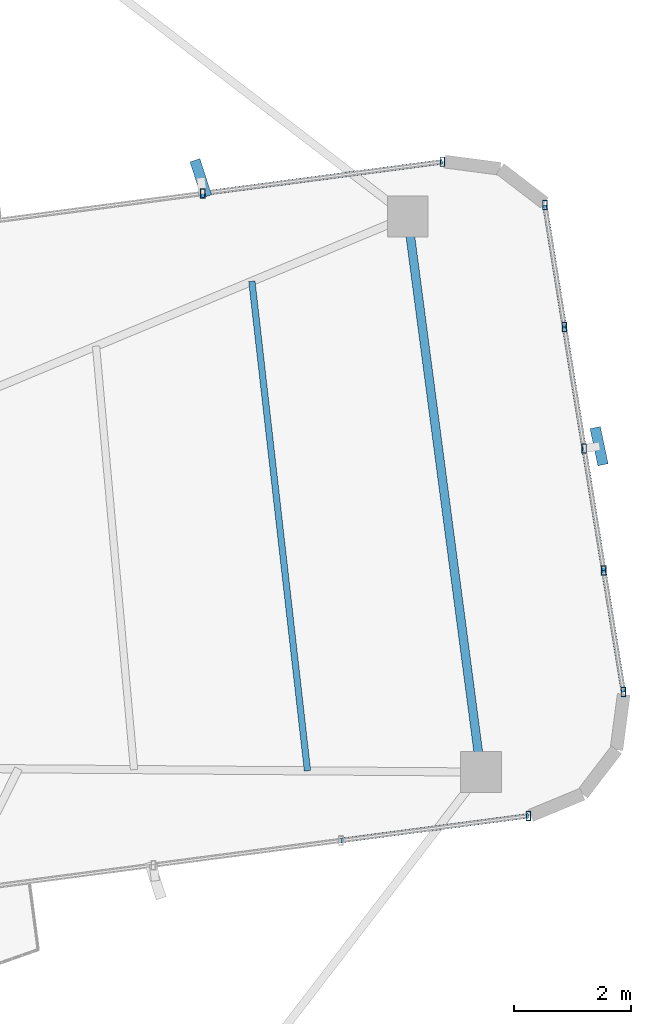
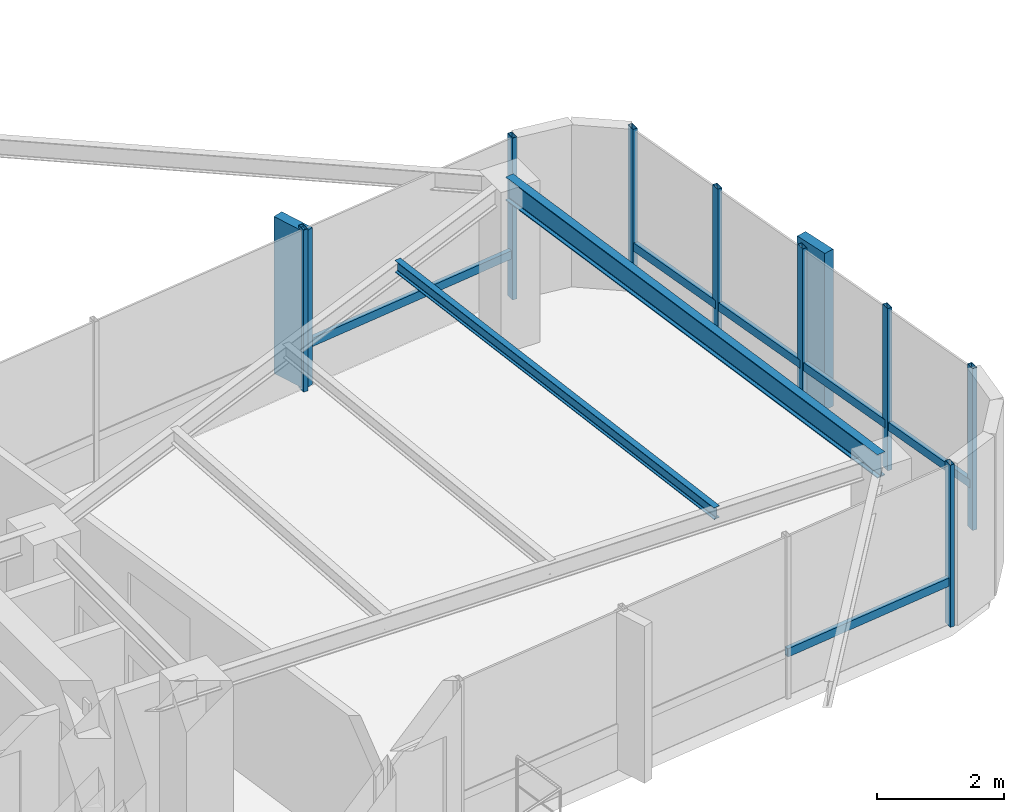
# One storey, part 12 of 21: 16 members, 2 beams, 3 elements without a shape of their own.
"""IFC4 building model written with IfcOpenShell, lengths in metres."""

from ifc_helpers import new_model, si_unit, direction, frame, origin, origin_2d, place, context, subcontext, project, spatial, rectangle, hollow_rectangle, i_section, extrude, source, transform, mapped, material, material_profile, profile_set, type_object, element, aggregate, save


model = new_model("IFC4")

# Units and contexts
model_context = context("Model", 3, precision=1e-05, world=origin(), true_north=direction((0.0, 1.0)))
body_context = subcontext(model_context, "Body", "Model", "MODEL_VIEW")
ifc_project = project(units=[si_unit("LENGTHUNIT", "METRE"), si_unit("AREAUNIT", "SQUARE_METRE"), si_unit("VOLUMEUNIT", "CUBIC_METRE"), si_unit("PLANEANGLEUNIT", "RADIAN"), si_unit("MASSUNIT", "GRAM", prefix="KILO")], contexts=[model_context])

# Site, building, storey
site_placement = place(None, origin())
site = spatial("IfcSite", under=ifc_project, at=site_placement, CompositionType="ELEMENT")
building_placement = place(site_placement, origin())
building = spatial("IfcBuilding", under=site, at=building_placement, Name="Sahyath Konkavel Grand Hotel", CompositionType="ELEMENT")
storey_placement = place(building_placement, frame((0.0, 0.0, 213.199951171875)))
storey = spatial("IfcBuildingStorey", under=building, at=storey_placement, Name="L59", CompositionType="ELEMENT", Elevation=213.199951171875)

# Beams
ifc_material_1 = material(Name="Steel E350", Category="steel")
ifc_material_profile_1 = material_profile(ifc_material_1, i_section(OverallWidth=0.14990234375, OverallDepth=0.449951171875, WebThickness=0.009521484375, FlangeThickness=0.017333984375, FilletRadius=0.014892578125, at=origin_2d()), Name="ISMB 450")
ifc_profile_set_1 = profile_set([ifc_material_profile_1], Name="Steel E350")
beam_type_1 = type_object("IfcBeamType", Name="BM-ISMB450", PredefinedType="BEAM", material=ifc_profile_set_1)
shared_shape_1 = source(origin(), body_context, "Body", "SweptSolid", [
    extrude(i_section(OverallWidth=0.14990234375, OverallDepth=0.449951171875, WebThickness=0.009521484375, FlangeThickness=0.017333984375, FilletRadius=0.014892578125, at=origin_2d()), origin(), (0.0, 0.0, 1.0), 9.599853515625),
])
beam_1_placement = place(storey_placement, frame((17.877685546875, -2.48779296875, 2.885009765625), z_axis=(-0.130539375757, 0.991443125639, 0.0), x_axis=(-0.991443125639, -0.130539375757, 0.0)))
element("IfcBeam", 1, at=beam_1_placement, inside=storey, type_object=beam_type_1, Name="L59 Wing Tip Edge Beam E", PredefinedType="BEAM", context=body_context, shape_type="MappedRepresentation", body=[
    mapped(shared_shape_1, transform((0.0, 0.0, 0.0), scale=1.0)),
])
ifc_material_profile_2 = material_profile(ifc_material_1, i_section(OverallWidth=0.110107421875, OverallDepth=0.22509765625, WebThickness=0.006591796875, FlangeThickness=0.01171875, FilletRadius=0.011962890625, at=origin_2d()), Name="ISMB 225")
ifc_profile_set_2 = profile_set([ifc_material_profile_2], Name="Steel E350")
beam_type_2 = type_object("IfcBeamType", Name="BM-ISMB225", PredefinedType="BEAM", material=ifc_profile_set_2)
shared_shape_2 = source(origin(), body_context, "Body", "SweptSolid", [
    extrude(i_section(OverallWidth=0.110107421875, OverallDepth=0.22509765625, WebThickness=0.006591796875, FlangeThickness=0.01171875, FilletRadius=0.011962890625, at=origin_2d()), origin(), (0.0, 0.0, 1.0), 8.439697265625),
])
beam_2_placement = place(storey_placement, frame((14.906982421875, -2.466796875, 2.99755859375), z_axis=(-0.112847377236, 0.993612333584, 0.0), x_axis=(-0.993612333584, -0.112847377236, 0.0)))
element("IfcBeam", 2, at=beam_2_placement, inside=storey, type_object=beam_type_2, Name="L59 Secondary Floor Beam E-3", PredefinedType="BEAM", context=body_context, shape_type="MappedRepresentation", body=[
    mapped(shared_shape_2, transform((0.0, 0.0, 0.0), scale=1.0)),
])

# Curtain wall, member
ifc_material_2 = material(Name="Anodised Bronze Aluminium & Low-E Glazing", Category="aluminium")
curtain_wall_type = type_object("IfcCurtainWallType", Name="CW-ZONE4", PredefinedType="NOTDEFINED", material=ifc_material_2)
curtain_wall_1_placement = place(storey_placement, origin())
curtain_wall_1 = element("IfcCurtainWall", 3, at=curtain_wall_1_placement, inside=storey, type_object=curtain_wall_type, Name="L59 Unitised Curtain Wall F4", PredefinedType="NOTDEFINED")
ifc_material_3 = material(Name="Warm Buff Sandstone Cladding on Concrete C50/60", Category="masonry")
ifc_material_profile_3 = material_profile(ifc_material_3, rectangle(XDim=0.179931640625, YDim=0.64990234375, at=origin_2d()), Name="FIN 180x650")
ifc_profile_set_3 = profile_set([ifc_material_profile_3], Name="Warm Buff Sandstone Cladding on Concrete C50/60")
member_type_1 = type_object("IfcMemberType", Name="FIN-SANDSTONE-650", PredefinedType="MULLION", material=ifc_profile_set_3)
shared_shape_3 = source(origin(), body_context, "Body", "SweptSolid", [
    extrude(rectangle(XDim=0.179931640625, YDim=0.64990234375, at=origin_2d()), origin(), (0.0, 0.0, 1.0), 3.010009765625),
])
member_1_placement = place(storey_placement, frame((19.90234375, 3.09423828125, 0.050048828125), z_axis=(0.0, 0.0, 1.0), x_axis=(0.978508985102, 0.206204185397, 0.0)))
member_1 = element("IfcMember", 4, at=member_1_placement, type_object=member_type_1, Name="L59 Sandstone Vertical Solar Fin FIN F4-2", PredefinedType="MULLION", context=body_context, shape_type="MappedRepresentation", body=[
    mapped(shared_shape_3, transform((0.0, 0.0, 0.0), scale=1.0)),
])

curtain_wall_2_placement = place(storey_placement, origin())
curtain_wall_2 = element("IfcCurtainWall", 5, at=curtain_wall_2_placement, inside=storey, type_object=curtain_wall_type, Name="L59 Unitised Curtain Wall F7", PredefinedType="NOTDEFINED")
member_2_placement = place(storey_placement, frame((13.0791015625, 7.682861328125, 0.050048828125), z_axis=(0.0, 0.0, 1.0), x_axis=(0.951272019071, 0.30835295642, 0.0)))
member_2 = element("IfcMember", 6, at=member_2_placement, type_object=member_type_1, Name="L59 Sandstone Vertical Solar Fin FIN F7-1", PredefinedType="MULLION", context=body_context, shape_type="MappedRepresentation", body=[
    mapped(shared_shape_3, transform((0.0, 0.0, 0.0), scale=1.0)),
])

curtain_wall_3_placement = place(storey_placement, origin())
curtain_wall_3 = element("IfcCurtainWall", 7, at=curtain_wall_3_placement, inside=storey, type_object=curtain_wall_type, Name="L59 Unitised Curtain Wall F0", PredefinedType="NOTDEFINED")
ifc_material_4 = material(Name="Anodised Bronze Aluminium", Category="aluminium")
ifc_material_profile_4 = material_profile(ifc_material_4, hollow_rectangle(XDim=0.080078125, YDim=0.159912109375, WallThickness=0.006103515625, at=origin_2d()), Name="RHS 160x80x6")
ifc_profile_set_4 = profile_set([ifc_material_profile_4], Name="Anodised Bronze Aluminium")
member_type_2 = type_object("IfcMemberType", Name="CW-MUL-160", PredefinedType="MULLION", material=ifc_profile_set_4)
shared_shape_4 = source(origin(), body_context, "Body", "SweptSolid", [
    extrude(hollow_rectangle(XDim=0.080078125, YDim=0.159912109375, WallThickness=0.006103515625, at=origin_2d()), origin(), (0.0, 0.0, 1.0), 3.110107421875),
])
member_3_placement = place(storey_placement, frame((18.6923828125, -3.23779296875, 0.0), z_axis=(0.0, 0.0, 1.0), x_axis=(1.0, 0.0, 0.0)))
member_3 = element("IfcMember", 8, at=member_3_placement, type_object=member_type_2, Name="L59 Curtain Wall Mullion F0-3", PredefinedType="MULLION", context=body_context, shape_type="MappedRepresentation", body=[
    mapped(shared_shape_4, transform((0.0, 0.0, 0.0), scale=1.0)),
])

# Member
member_4_placement = place(storey_placement, frame((20.318603515625, -1.117431640625, 0.0), z_axis=(0.0, 0.0, 1.0), x_axis=(1.0, 0.0, 0.0)))
member_4 = element("IfcMember", 9, at=member_4_placement, type_object=member_type_2, Name="L59 Curtain Wall Mullion F4-0", PredefinedType="MULLION", context=body_context, shape_type="MappedRepresentation", body=[
    mapped(shared_shape_4, transform((0.0, 0.0, 0.0), scale=1.0)),
])

member_5_placement = place(storey_placement, frame((19.982177734375, 0.9677734375, 0.0), z_axis=(0.0, 0.0, 1.0), x_axis=(1.0, 0.0, 0.0)))
member_5 = element("IfcMember", 10, at=member_5_placement, type_object=member_type_2, Name="L59 Curtain Wall Mullion F4-1", PredefinedType="MULLION", context=body_context, shape_type="MappedRepresentation", body=[
    mapped(shared_shape_4, transform((0.0, 0.0, 0.0), scale=1.0)),
])

member_6_placement = place(storey_placement, frame((19.6455078125, 3.052734375, 0.0), z_axis=(0.0, 0.0, 1.0), x_axis=(1.0, 0.0, 0.0)))
member_6 = element("IfcMember", 11, at=member_6_placement, type_object=member_type_2, Name="L59 Curtain Wall Mullion F4-2", PredefinedType="MULLION", context=body_context, shape_type="MappedRepresentation", body=[
    mapped(shared_shape_4, transform((0.0, 0.0, 0.0), scale=1.0)),
])

member_7_placement = place(storey_placement, frame((19.30908203125, 5.137939453125, 0.0), z_axis=(0.0, 0.0, 1.0), x_axis=(1.0, 0.0, 0.0)))
member_7 = element("IfcMember", 12, at=member_7_placement, type_object=member_type_2, Name="L59 Curtain Wall Mullion F4-3", PredefinedType="MULLION", context=body_context, shape_type="MappedRepresentation", body=[
    mapped(shared_shape_4, transform((0.0, 0.0, 0.0), scale=1.0)),
])

member_8_placement = place(storey_placement, frame((18.972900390625, 7.22314453125, 0.0), z_axis=(0.0, 0.0, 1.0), x_axis=(1.0, 0.0, 0.0)))
member_8 = element("IfcMember", 13, at=member_8_placement, type_object=member_type_2, Name="L59 Curtain Wall Mullion F4-4", PredefinedType="MULLION", context=body_context, shape_type="MappedRepresentation", body=[
    mapped(shared_shape_4, transform((0.0, 0.0, 0.0), scale=1.0)),
])

member_9_placement = place(storey_placement, frame((17.217529296875, 7.965576171875, 0.0), z_axis=(0.0, 0.0, 1.0), x_axis=(1.0, 0.0, 0.0)))
member_9 = element("IfcMember", 14, at=member_9_placement, type_object=member_type_2, Name="L59 Curtain Wall Mullion F7-0", PredefinedType="MULLION", context=body_context, shape_type="MappedRepresentation", body=[
    mapped(shared_shape_4, transform((0.0, 0.0, 0.0), scale=1.0)),
])

member_10_placement = place(storey_placement, frame((13.113037109375, 7.425048828125, 0.0), z_axis=(0.0, 0.0, 1.0), x_axis=(1.0, 0.0, 0.0)))
member_10 = element("IfcMember", 15, at=member_10_placement, type_object=member_type_2, Name="L59 Curtain Wall Mullion F7-1", PredefinedType="MULLION", context=body_context, shape_type="MappedRepresentation", body=[
    mapped(shared_shape_4, transform((0.0, 0.0, 0.0), scale=1.0)),
])

ifc_material_profile_5 = material_profile(ifc_material_4, hollow_rectangle(XDim=0.080078125, YDim=0.159912109375, WallThickness=0.006103515625, at=origin_2d()), Name="RHS 160x80x6")
ifc_profile_set_5 = profile_set([ifc_material_profile_5], Name="Anodised Bronze Aluminium")
member_type_3 = type_object("IfcMemberType", Name="CW-TRN-160", PredefinedType="USERDEFINED", material=ifc_profile_set_5)
shared_shape_5 = source(origin(), body_context, "Body", "SweptSolid", [
    extrude(hollow_rectangle(XDim=0.080078125, YDim=0.159912109375, WallThickness=0.006103515625, at=origin_2d()), origin(), (0.0, 0.0, 1.0), 3.239990234375),
])
member_11_placement = place(storey_placement, frame((15.480224609375, -3.66064453125, 0.85009765625), z_axis=(0.991446342692, 0.130514939997, 0.0), x_axis=(-0.130514939997, 0.991446342692, 0.0)))
member_11 = element("IfcMember", 16, at=member_11_placement, type_object=member_type_3, Name="L59 Curtain Wall Transom F0-2-spandrel", ObjectType="TRANSOM", PredefinedType="USERDEFINED", context=body_context, shape_type="MappedRepresentation", body=[
    mapped(shared_shape_5, transform((0.0, 0.0, 0.0), scale=1.0)),
])

aggregate(curtain_wall_3, [member_3, member_11])

shared_shape_6 = source(origin(), body_context, "Body", "SweptSolid", [
    extrude(hollow_rectangle(XDim=0.080078125, YDim=0.159912109375, WallThickness=0.006103515625, at=origin_2d()), origin(), (0.0, 0.0, 1.0), 2.112060546875),
])
member_12_placement = place(storey_placement, frame((20.318603515625, -1.117431640625, 0.85009765625), z_axis=(-0.159279681841, 0.987233499712, 0.0), x_axis=(-0.987233499712, -0.159279681841, 0.0)))
member_12 = element("IfcMember", 17, at=member_12_placement, type_object=member_type_3, Name="L59 Curtain Wall Transom F4-0-spandrel", ObjectType="TRANSOM", PredefinedType="USERDEFINED", context=body_context, shape_type="MappedRepresentation", body=[
    mapped(shared_shape_6, transform((0.0, 0.0, 0.0), scale=1.0)),
])

member_13_placement = place(storey_placement, frame((19.982177734375, 0.9677734375, 0.85009765625), z_axis=(-0.159410523793, 0.98721238085, 0.0), x_axis=(-0.98721238085, -0.159410523793, 0.0)))
member_13 = element("IfcMember", 18, at=member_13_placement, type_object=member_type_3, Name="L59 Curtain Wall Transom F4-1-spandrel", ObjectType="TRANSOM", PredefinedType="USERDEFINED", context=body_context, shape_type="MappedRepresentation", body=[
    mapped(shared_shape_6, transform((0.0, 0.0, 0.0), scale=1.0)),
])

member_14_placement = place(storey_placement, frame((19.6455078125, 3.052734375, 0.85009765625), z_axis=(-0.159279681841, 0.987233499712, 0.0), x_axis=(-0.987233499712, -0.159279681841, 0.0)))
member_14 = element("IfcMember", 19, at=member_14_placement, type_object=member_type_3, Name="L59 Curtain Wall Transom F4-2-spandrel", ObjectType="TRANSOM", PredefinedType="USERDEFINED", context=body_context, shape_type="MappedRepresentation", body=[
    mapped(shared_shape_6, transform((0.0, 0.0, 0.0), scale=1.0)),
])

member_15_placement = place(storey_placement, frame((19.30908203125, 5.137939453125, 0.85009765625), z_axis=(-0.159167023612, 0.98725166933, 0.0), x_axis=(-0.98725166933, -0.159167023612, 0.0)))
member_15 = element("IfcMember", 20, at=member_15_placement, type_object=member_type_3, Name="L59 Curtain Wall Transom F4-3-spandrel", ObjectType="TRANSOM", PredefinedType="USERDEFINED", context=body_context, shape_type="MappedRepresentation", body=[
    mapped(shared_shape_6, transform((0.0, 0.0, 0.0), scale=1.0)),
])

aggregate(curtain_wall_1, [member_4, member_5, member_6, member_1, member_7, member_8, member_12, member_13, member_14, member_15])

shared_shape_7 = source(origin(), body_context, "Body", "SweptSolid", [
    extrude(hollow_rectangle(XDim=0.080078125, YDim=0.159912109375, WallThickness=0.006103515625, at=origin_2d()), origin(), (0.0, 0.0, 1.0), 4.139892578125),
])
member_16_placement = place(storey_placement, frame((17.217529296875, 7.965576171875, 0.85009765625), z_axis=(-0.991439837467, -0.130564346904, 0.0), x_axis=(0.130564346904, -0.991439837467, 0.0)))
member_16 = element("IfcMember", 21, at=member_16_placement, type_object=member_type_3, Name="L59 Curtain Wall Transom F7-0-spandrel", ObjectType="TRANSOM", PredefinedType="USERDEFINED", context=body_context, shape_type="MappedRepresentation", body=[
    mapped(shared_shape_7, transform((0.0, 0.0, 0.0), scale=1.0)),
])

aggregate(curtain_wall_2, [member_9, member_10, member_2, member_16])

save(model, "model.ifc")
